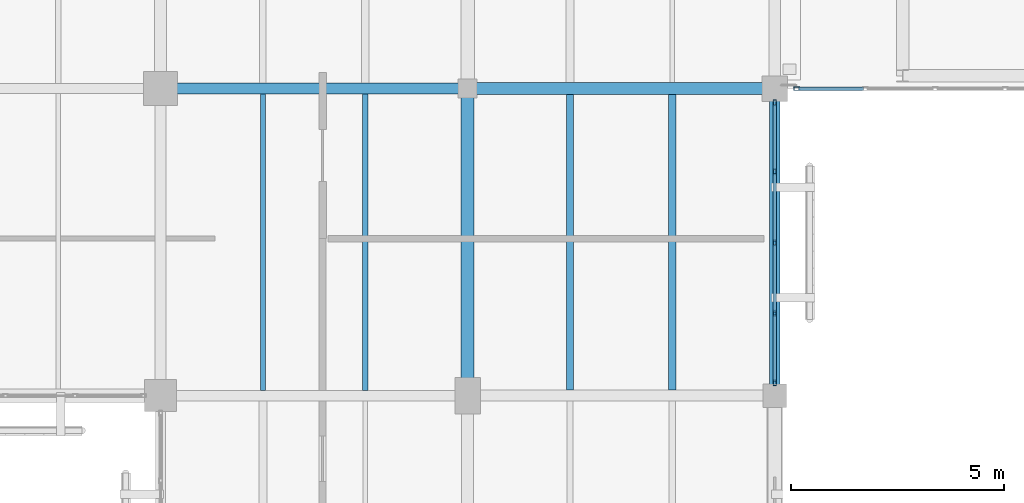
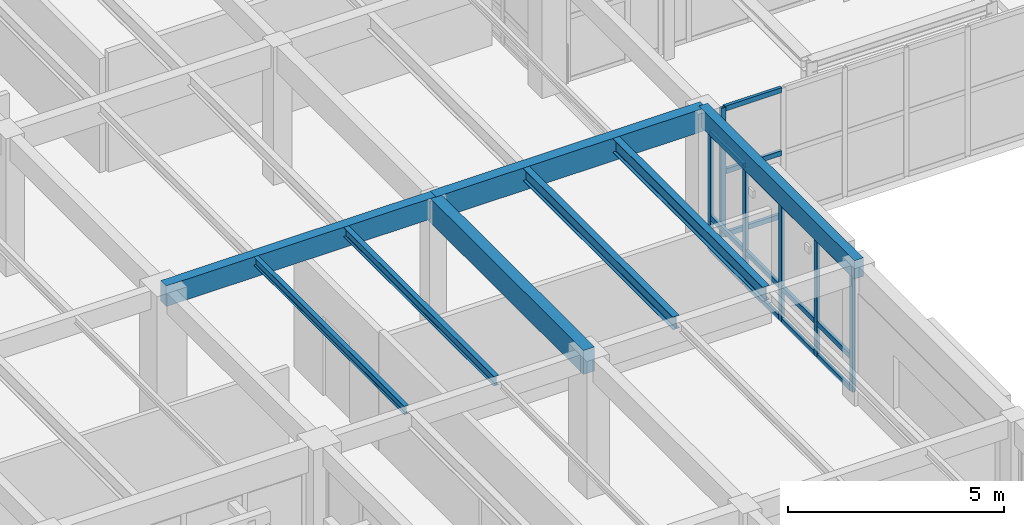
# One storey, part 63 of 170: 21 members, 8 beams, 2 elements without a shape of their own.
"""IFC4 building model written with IfcOpenShell, lengths in metres."""

from ifc_helpers import new_model, si_unit, direction, frame, origin, origin_2d, place, context, subcontext, project, spatial, rectangle, hollow_rectangle, i_section, extrude, material, layer, layer_set, material_profile, profile_set, type_object, element, aggregate, save


model = new_model("IFC4")

# Units and contexts
model_context = context("Model", 3, precision=1e-05, world=origin(), true_north=direction((0.0, 1.0)))
body_context = subcontext(model_context, "Body", "Model", "MODEL_VIEW")
ifc_project = project(units=[si_unit("LENGTHUNIT", "METRE"), si_unit("AREAUNIT", "SQUARE_METRE"), si_unit("VOLUMEUNIT", "CUBIC_METRE"), si_unit("PLANEANGLEUNIT", "RADIAN"), si_unit("MASSUNIT", "GRAM", prefix="KILO")], contexts=[model_context])

# Site, building, storey
site_placement = place(None, origin())
site = spatial("IfcSite", under=ifc_project, at=site_placement, CompositionType="ELEMENT")
building_placement = place(site_placement, origin())
building = spatial("IfcBuilding", under=site, at=building_placement, Name="Mazaris Harbour Polytechnic", CompositionType="ELEMENT")
storey_placement = place(building_placement, frame((0.0, 0.0, 5.39990234375)))
storey = spatial("IfcBuildingStorey", under=building, at=storey_placement, Name="L01", CompositionType="ELEMENT", Elevation=5.39990234375)

# Curtain wall, members
ifc_material_1 = material(Name="Anodised Bronze Aluminium and Low-E Glass", Category="aluminium")
ifc_layer_1 = layer(ifc_material_1, 0.159912109375, Name="Anodised Bronze Aluminium and Low-E Glass")
ifc_layer_set_1 = layer_set([ifc_layer_1], Name="Anodised Bronze Aluminium and Low-E Glass")
curtain_wall_type_1 = type_object("IfcCurtainWallType", Name="Cloister Court Curtain Wall", PredefinedType="NOTDEFINED", material=ifc_layer_set_1)
curtain_wall_1_placement = place(storey_placement, origin())
curtain_wall_1 = element("IfcCurtainWall", 1, at=curtain_wall_1_placement, inside=storey, type_object=curtain_wall_type_1, Name="V4 L01 Curtain Wall 114", PredefinedType="NOTDEFINED")
ifc_material_2 = material(Name="Anodised Bronze Steel S355", Category="steel")
ifc_material_profile_1 = material_profile(ifc_material_2, hollow_rectangle(XDim=0.080078125, YDim=0.139892578125, WallThickness=0.00634765625, at=origin_2d()), Name="RHS 80x140x6.3")
ifc_profile_set_1 = profile_set([ifc_material_profile_1], Name="Anodised Bronze Steel S355")
member_type_1 = type_object("IfcMemberType", Name="Curtain Mullion RHS80x140", PredefinedType="MULLION", material=ifc_profile_set_1)
member_1_placement = place(storey_placement, frame((43.199951171875, 75.26806640625, 0.0), z_axis=(0.0, 0.0, 1.0), x_axis=(1.0, 0.0, 0.0)))
member_1 = element("IfcMember", 2, at=member_1_placement, type_object=member_type_1, Name="CW-02 mullion 1", PredefinedType="MULLION", context=body_context, shape_type="SweptSolid", body=[
    extrude(hollow_rectangle(XDim=0.080078125, YDim=0.139892578125, WallThickness=0.00634765625, at=origin_2d()), origin(), (0.0, 0.0, 1.0), 3.360107421875),
])
member_2_placement = place(storey_placement, frame((43.199951171875, 73.647705078125, 0.0), z_axis=(0.0, 0.0, 1.0), x_axis=(1.0, 0.0, 0.0)))
member_2 = element("IfcMember", 3, at=member_2_placement, type_object=member_type_1, Name="CW-02 mullion 2", PredefinedType="MULLION", context=body_context, shape_type="SweptSolid", body=[
    extrude(hollow_rectangle(XDim=0.080078125, YDim=0.139892578125, WallThickness=0.00634765625, at=origin_2d()), origin(), (0.0, 0.0, 1.0), 3.360107421875),
])
member_3_placement = place(storey_placement, frame((43.199951171875, 71.987548828125, 0.0), z_axis=(0.0, 0.0, 1.0), x_axis=(1.0, 0.0, 0.0)))
member_3 = element("IfcMember", 4, at=member_3_placement, type_object=member_type_1, Name="CW-02 mullion 3", PredefinedType="MULLION", context=body_context, shape_type="SweptSolid", body=[
    extrude(hollow_rectangle(XDim=0.080078125, YDim=0.139892578125, WallThickness=0.00634765625, at=origin_2d()), origin(), (0.0, 0.0, 1.0), 3.360107421875),
])
member_4_placement = place(storey_placement, frame((43.199951171875, 70.3271484375, 0.0), z_axis=(0.0, 0.0, 1.0), x_axis=(1.0, 0.0, 0.0)))
member_4 = element("IfcMember", 5, at=member_4_placement, type_object=member_type_1, Name="CW-02 mullion 4", PredefinedType="MULLION", context=body_context, shape_type="SweptSolid", body=[
    extrude(hollow_rectangle(XDim=0.080078125, YDim=0.139892578125, WallThickness=0.00634765625, at=origin_2d()), origin(), (0.0, 0.0, 1.0), 3.360107421875),
])
member_5_placement = place(storey_placement, frame((43.199951171875, 68.70703125, 0.0), z_axis=(0.0, 0.0, 1.0), x_axis=(1.0, 0.0, 0.0)))
member_5 = element("IfcMember", 6, at=member_5_placement, type_object=member_type_1, Name="CW-02 mullion 5", PredefinedType="MULLION", context=body_context, shape_type="SweptSolid", body=[
    extrude(hollow_rectangle(XDim=0.080078125, YDim=0.139892578125, WallThickness=0.00634765625, at=origin_2d()), origin(), (0.0, 0.0, 1.0), 3.360107421875),
])

# Curtain wall, member
ifc_material_3 = material(Name="Anodised Bronze Aluminium and Low-E Glass", Category="aluminium")
ifc_layer_2 = layer(ifc_material_3, 0.139892578125, Name="Anodised Bronze Aluminium and Low-E Glass")
ifc_layer_set_2 = layer_set([ifc_layer_2], Name="Anodised Bronze Aluminium and Low-E Glass")
curtain_wall_type_2 = type_object("IfcCurtainWallType", Name="Seismic Link Bridge Glazing", PredefinedType="NOTDEFINED", material=ifc_layer_set_2)
curtain_wall_2_placement = place(storey_placement, origin())
curtain_wall_2 = element("IfcCurtainWall", 7, at=curtain_wall_2_placement, inside=storey, type_object=curtain_wall_type_2, Name="PB-W2 L01 Bridge Glazing", PredefinedType="NOTDEFINED")
member_6_placement = place(storey_placement, frame((43.719970703125, 75.60009765625, 0.0), z_axis=(0.0, 0.0, 1.0), x_axis=(0.0, 1.0, 0.0)))
member_6 = element("IfcMember", 8, at=member_6_placement, type_object=member_type_1, Name="CW-05 mullion 1", PredefinedType="MULLION", context=body_context, shape_type="SweptSolid", body=[
    extrude(hollow_rectangle(XDim=0.080078125, YDim=0.139892578125, WallThickness=0.00634765625, at=origin_2d()), origin(), (0.0, 0.0, 1.0), 3.635009765625),
])

# Member
ifc_material_4 = material(Name="Anodised Bronze Steel S355", Category="steel")
ifc_material_profile_2 = material_profile(ifc_material_4, hollow_rectangle(XDim=0.080078125, YDim=0.139892578125, WallThickness=0.00634765625, at=origin_2d()), Name="RHS 80x140x6.3")
ifc_profile_set_2 = profile_set([ifc_material_profile_2], Name="Anodised Bronze Steel S355")
member_type_2 = type_object("IfcMemberType", Name="Curtain Transom RHS80x140", PredefinedType="USERDEFINED", material=ifc_profile_set_2)
member_7_placement = place(storey_placement, frame((43.199951171875, 75.22802734375, 0.0400390625), z_axis=(0.0, -1.0, 0.0), x_axis=(1.0, 0.0, 0.0)))
member_7 = element("IfcMember", 9, at=member_7_placement, type_object=member_type_2, Name="CW-02 transom 1.1", ObjectType="TRANSOM", PredefinedType="USERDEFINED", context=body_context, shape_type="SweptSolid", body=[
    extrude(hollow_rectangle(XDim=0.080078125, YDim=0.139892578125, WallThickness=0.00634765625, at=origin_2d()), origin(), (0.0, 0.0, 1.0), 1.540283203125),
])

member_8_placement = place(storey_placement, frame((43.199951171875, 75.22802734375, 0.9501953125), z_axis=(0.0, -1.0, 0.0), x_axis=(1.0, 0.0, 0.0)))
member_8 = element("IfcMember", 10, at=member_8_placement, type_object=member_type_2, Name="CW-02 transom 1.2", ObjectType="TRANSOM", PredefinedType="USERDEFINED", context=body_context, shape_type="SweptSolid", body=[
    extrude(hollow_rectangle(XDim=0.080078125, YDim=0.139892578125, WallThickness=0.00634765625, at=origin_2d()), origin(), (0.0, 0.0, 1.0), 1.540283203125),
])

member_9_placement = place(storey_placement, frame((43.199951171875, 75.22802734375, 3.320068359375), z_axis=(0.0, -1.0, 0.0), x_axis=(1.0, 0.0, 0.0)))
member_9 = element("IfcMember", 11, at=member_9_placement, type_object=member_type_2, Name="CW-02 transom 1.3", ObjectType="TRANSOM", PredefinedType="USERDEFINED", context=body_context, shape_type="SweptSolid", body=[
    extrude(hollow_rectangle(XDim=0.080078125, YDim=0.139892578125, WallThickness=0.00634765625, at=origin_2d()), origin(), (0.0, 0.0, 1.0), 1.540283203125),
])

member_10_placement = place(storey_placement, frame((43.199951171875, 73.607666015625, 0.0400390625), z_axis=(0.0, -1.0, 0.0), x_axis=(1.0, 0.0, 0.0)))
member_10 = element("IfcMember", 12, at=member_10_placement, type_object=member_type_2, Name="CW-02 transom 2.1", ObjectType="TRANSOM", PredefinedType="USERDEFINED", context=body_context, shape_type="SweptSolid", body=[
    extrude(hollow_rectangle(XDim=0.080078125, YDim=0.139892578125, WallThickness=0.00634765625, at=origin_2d()), origin(), (0.0, 0.0, 1.0), 1.580078125),
])

member_11_placement = place(storey_placement, frame((43.199951171875, 73.607666015625, 0.9501953125), z_axis=(0.0, -1.0, 0.0), x_axis=(1.0, 0.0, 0.0)))
member_11 = element("IfcMember", 13, at=member_11_placement, type_object=member_type_2, Name="CW-02 transom 2.2", ObjectType="TRANSOM", PredefinedType="USERDEFINED", context=body_context, shape_type="SweptSolid", body=[
    extrude(hollow_rectangle(XDim=0.080078125, YDim=0.139892578125, WallThickness=0.00634765625, at=origin_2d()), origin(), (0.0, 0.0, 1.0), 1.580078125),
])

member_12_placement = place(storey_placement, frame((43.199951171875, 73.607666015625, 3.320068359375), z_axis=(0.0, -1.0, 0.0), x_axis=(1.0, 0.0, 0.0)))
member_12 = element("IfcMember", 14, at=member_12_placement, type_object=member_type_2, Name="CW-02 transom 2.3", ObjectType="TRANSOM", PredefinedType="USERDEFINED", context=body_context, shape_type="SweptSolid", body=[
    extrude(hollow_rectangle(XDim=0.080078125, YDim=0.139892578125, WallThickness=0.00634765625, at=origin_2d()), origin(), (0.0, 0.0, 1.0), 1.580078125),
])

member_13_placement = place(storey_placement, frame((43.199951171875, 71.947509765625, 0.0400390625), z_axis=(0.0, -1.0, 0.0), x_axis=(1.0, 0.0, 0.0)))
member_13 = element("IfcMember", 15, at=member_13_placement, type_object=member_type_2, Name="CW-02 transom 3.1", ObjectType="TRANSOM", PredefinedType="USERDEFINED", context=body_context, shape_type="SweptSolid", body=[
    extrude(hollow_rectangle(XDim=0.080078125, YDim=0.139892578125, WallThickness=0.00634765625, at=origin_2d()), origin(), (0.0, 0.0, 1.0), 1.580322265625),
])

member_14_placement = place(storey_placement, frame((43.199951171875, 71.947509765625, 0.9501953125), z_axis=(0.0, -1.0, 0.0), x_axis=(1.0, 0.0, 0.0)))
member_14 = element("IfcMember", 16, at=member_14_placement, type_object=member_type_2, Name="CW-02 transom 3.2", ObjectType="TRANSOM", PredefinedType="USERDEFINED", context=body_context, shape_type="SweptSolid", body=[
    extrude(hollow_rectangle(XDim=0.080078125, YDim=0.139892578125, WallThickness=0.00634765625, at=origin_2d()), origin(), (0.0, 0.0, 1.0), 1.580322265625),
])

member_15_placement = place(storey_placement, frame((43.199951171875, 71.947509765625, 3.320068359375), z_axis=(0.0, -1.0, 0.0), x_axis=(1.0, 0.0, 0.0)))
member_15 = element("IfcMember", 17, at=member_15_placement, type_object=member_type_2, Name="CW-02 transom 3.3", ObjectType="TRANSOM", PredefinedType="USERDEFINED", context=body_context, shape_type="SweptSolid", body=[
    extrude(hollow_rectangle(XDim=0.080078125, YDim=0.139892578125, WallThickness=0.00634765625, at=origin_2d()), origin(), (0.0, 0.0, 1.0), 1.580322265625),
])

member_16_placement = place(storey_placement, frame((43.199951171875, 70.287353515625, 0.0400390625), z_axis=(0.0, -1.0, 0.0), x_axis=(1.0, 0.0, 0.0)))
member_16 = element("IfcMember", 18, at=member_16_placement, type_object=member_type_2, Name="CW-02 transom 4.1", ObjectType="TRANSOM", PredefinedType="USERDEFINED", context=body_context, shape_type="SweptSolid", body=[
    extrude(hollow_rectangle(XDim=0.080078125, YDim=0.139892578125, WallThickness=0.00634765625, at=origin_2d()), origin(), (0.0, 0.0, 1.0), 1.540283203125),
])

member_17_placement = place(storey_placement, frame((43.199951171875, 70.287353515625, 0.9501953125), z_axis=(0.0, -1.0, 0.0), x_axis=(1.0, 0.0, 0.0)))
member_17 = element("IfcMember", 19, at=member_17_placement, type_object=member_type_2, Name="CW-02 transom 4.2", ObjectType="TRANSOM", PredefinedType="USERDEFINED", context=body_context, shape_type="SweptSolid", body=[
    extrude(hollow_rectangle(XDim=0.080078125, YDim=0.139892578125, WallThickness=0.00634765625, at=origin_2d()), origin(), (0.0, 0.0, 1.0), 1.540283203125),
])

member_18_placement = place(storey_placement, frame((43.199951171875, 70.287353515625, 3.320068359375), z_axis=(0.0, -1.0, 0.0), x_axis=(1.0, 0.0, 0.0)))
member_18 = element("IfcMember", 20, at=member_18_placement, type_object=member_type_2, Name="CW-02 transom 4.3", ObjectType="TRANSOM", PredefinedType="USERDEFINED", context=body_context, shape_type="SweptSolid", body=[
    extrude(hollow_rectangle(XDim=0.080078125, YDim=0.139892578125, WallThickness=0.00634765625, at=origin_2d()), origin(), (0.0, 0.0, 1.0), 1.540283203125),
])

aggregate(curtain_wall_1, [member_1, member_2, member_3, member_4, member_5, member_7, member_8, member_9, member_10, member_11, member_12, member_13, member_14, member_15, member_16, member_17, member_18])

member_19_placement = place(storey_placement, frame((43.760009765625, 75.60009765625, 0.0400390625), z_axis=(1.0, 0.0, 0.0), x_axis=(0.0, 1.0, 0.0)))
member_19 = element("IfcMember", 21, at=member_19_placement, type_object=member_type_2, Name="CW-05 transom 1.1", ObjectType="TRANSOM", PredefinedType="USERDEFINED", context=body_context, shape_type="SweptSolid", body=[
    extrude(hollow_rectangle(XDim=0.080078125, YDim=0.139892578125, WallThickness=0.00634765625, at=origin_2d()), origin(), (0.0, 0.0, 1.0), 1.52001953125),
])

member_20_placement = place(storey_placement, frame((43.760009765625, 75.60009765625, 1.817626953125), z_axis=(1.0, 0.0, 0.0), x_axis=(0.0, 1.0, 0.0)))
member_20 = element("IfcMember", 22, at=member_20_placement, type_object=member_type_2, Name="CW-05 transom 1.2", ObjectType="TRANSOM", PredefinedType="USERDEFINED", context=body_context, shape_type="SweptSolid", body=[
    extrude(hollow_rectangle(XDim=0.080078125, YDim=0.139892578125, WallThickness=0.00634765625, at=origin_2d()), origin(), (0.0, 0.0, 1.0), 1.52001953125),
])

member_21_placement = place(storey_placement, frame((43.760009765625, 75.60009765625, 3.59521484375), z_axis=(1.0, 0.0, 0.0), x_axis=(0.0, 1.0, 0.0)))
member_21 = element("IfcMember", 23, at=member_21_placement, type_object=member_type_2, Name="CW-05 transom 1.3", ObjectType="TRANSOM", PredefinedType="USERDEFINED", context=body_context, shape_type="SweptSolid", body=[
    extrude(hollow_rectangle(XDim=0.080078125, YDim=0.139892578125, WallThickness=0.00634765625, at=origin_2d()), origin(), (0.0, 0.0, 1.0), 1.52001953125),
])

aggregate(curtain_wall_2, [member_6, member_19, member_20, member_21])

# Beams
ifc_material_5 = material(Name="Glulam GL32h", Category="wood")
ifc_material_profile_3 = material_profile(ifc_material_5, rectangle(XDim=0.239990234375, YDim=0.52001953125, at=origin_2d()), Name="RECT240x520")
ifc_profile_set_3 = profile_set([ifc_material_profile_3], Name="Glulam GL32h")
beam_type_1 = type_object("IfcBeamType", Name="Glulam Girder 240x520 Exterior", PredefinedType="BEAM", material=ifc_profile_set_3)
beam_1_placement = place(storey_placement, frame((43.199951171875, 68.39990234375, 3.630126953125), z_axis=(0.0, 1.0, 0.0), x_axis=(-1.0, 0.0, 0.0)))
element("IfcBeam", 24, at=beam_1_placement, inside=storey, type_object=beam_type_1, Name="V4 L01 Tie Girder 1770", PredefinedType="BEAM", context=body_context, shape_type="SweptSolid", body=[
    extrude(rectangle(XDim=0.239990234375, YDim=0.52001953125, at=origin_2d()), origin(), (0.0, 0.0, 1.0), 7.2001953125),
])
ifc_material_6 = material(Name="Glulam GL32h", Category="wood")
ifc_material_profile_4 = material_profile(ifc_material_6, rectangle(XDim=0.260009765625, YDim=0.580078125, at=origin_2d()), Name="RECT260x580")
ifc_profile_set_4 = profile_set([ifc_material_profile_4], Name="Glulam GL32h")
beam_type_2 = type_object("IfcBeamType", Name="Glulam Girder 260x580", PredefinedType="BEAM", material=ifc_profile_set_4)
beam_2_placement = place(storey_placement, frame((28.800048828125, 75.60009765625, 3.60009765625), z_axis=(1.0, 0.0, 0.0), x_axis=(0.0, 1.0, 0.0)))
element("IfcBeam", 25, at=beam_2_placement, inside=storey, type_object=beam_type_2, Name="V4 L01 Girder 1676", PredefinedType="BEAM", context=body_context, shape_type="SweptSolid", body=[
    extrude(rectangle(XDim=0.260009765625, YDim=0.580078125, at=origin_2d()), origin(), (0.0, 0.0, 1.0), 7.199951171875),
])
ifc_material_7 = material(Name="Glulam GL32h", Category="wood")
ifc_material_profile_5 = material_profile(ifc_material_7, rectangle(XDim=0.280029296875, YDim=0.639892578125, at=origin_2d()), Name="RECT280x640")
ifc_profile_set_5 = profile_set([ifc_material_profile_5], Name="Glulam GL32h")
beam_type_3 = type_object("IfcBeamType", Name="Glulam Girder 280x640", PredefinedType="BEAM", material=ifc_profile_set_5)
beam_3_placement = place(storey_placement, frame((36.0, 75.60009765625, 3.570068359375), z_axis=(1.0, 0.0, 0.0), x_axis=(0.0, 1.0, 0.0)))
element("IfcBeam", 26, at=beam_3_placement, inside=storey, type_object=beam_type_3, Name="V4 L01 Girder 1677", PredefinedType="BEAM", context=body_context, shape_type="SweptSolid", body=[
    extrude(rectangle(XDim=0.280029296875, YDim=0.639892578125, at=origin_2d()), origin(), (0.0, 0.0, 1.0), 7.199951171875),
])
ifc_material_8 = material(Name="Glulam GL32h", Category="wood")
ifc_material_profile_6 = material_profile(ifc_material_8, rectangle(XDim=0.300048828125, YDim=0.679931640625, at=origin_2d()), Name="RECT300x680")
ifc_profile_set_6 = profile_set([ifc_material_profile_6], Name="Glulam GL32h")
beam_type_4 = type_object("IfcBeamType", Name="Glulam Girder 300x680", PredefinedType="BEAM", material=ifc_profile_set_6)
beam_4_placement = place(storey_placement, frame((36.0, 68.39990234375, 3.550048828125), z_axis=(0.0, 1.0, 0.0), x_axis=(-1.0, 0.0, 0.0)))
element("IfcBeam", 27, at=beam_4_placement, inside=storey, type_object=beam_type_4, Name="V4 L01 Tie Girder 1758", PredefinedType="BEAM", context=body_context, shape_type="SweptSolid", body=[
    extrude(rectangle(XDim=0.300048828125, YDim=0.679931640625, at=origin_2d()), origin(), (0.0, 0.0, 1.0), 7.2001953125),
])
ifc_material_9 = material(Name="Steel S355", Category="steel")
ifc_material_profile_7 = material_profile(ifc_material_9, i_section(OverallWidth=0.1201171875, OverallDepth=0.239990234375, WebThickness=0.006103515625, FlangeThickness=0.009765625, FilletRadius=0.014892578125, at=origin_2d()), Name="IPE 240")
ifc_profile_set_7 = profile_set([ifc_material_profile_7], Name="Steel S355")
beam_type_5 = type_object("IfcBeamType", Name="Steel Joist IPE240", PredefinedType="JOIST", material=ifc_profile_set_7)
beam_5_placement = place(storey_placement, frame((31.199951171875, 68.52001953125, 3.77001953125), z_axis=(0.0, 1.0, 0.0), x_axis=(-1.0, 0.0, 0.0)))
element("IfcBeam", 28, at=beam_5_placement, inside=storey, type_object=beam_type_5, Name="V4 L01 Floor Joist 1863", PredefinedType="JOIST", context=body_context, shape_type="SweptSolid", body=[
    extrude(i_section(OverallWidth=0.1201171875, OverallDepth=0.239990234375, WebThickness=0.006103515625, FlangeThickness=0.009765625, FilletRadius=0.014892578125, at=origin_2d()), origin(), (0.0, 0.0, 1.0), 6.949951171875),
])
ifc_material_10 = material(Name="Steel S355", Category="steel")
ifc_material_profile_8 = material_profile(ifc_material_10, i_section(OverallWidth=0.135009765625, OverallDepth=0.27001953125, WebThickness=0.006591796875, FlangeThickness=0.01025390625, FilletRadius=0.014892578125, at=origin_2d()), Name="IPE 270")
ifc_profile_set_8 = profile_set([ifc_material_profile_8], Name="Steel S355")
beam_type_6 = type_object("IfcBeamType", Name="Steel Joist IPE270", PredefinedType="JOIST", material=ifc_profile_set_8)
beam_6_placement = place(storey_placement, frame((33.60009765625, 68.52001953125, 3.755126953125), z_axis=(0.0, 1.0, 0.0), x_axis=(-1.0, 0.0, 0.0)))
element("IfcBeam", 29, at=beam_6_placement, inside=storey, type_object=beam_type_6, Name="V4 L01 Floor Joist 1864", PredefinedType="JOIST", context=body_context, shape_type="SweptSolid", body=[
    extrude(i_section(OverallWidth=0.135009765625, OverallDepth=0.27001953125, WebThickness=0.006591796875, FlangeThickness=0.01025390625, FilletRadius=0.014892578125, at=origin_2d()), origin(), (0.0, 0.0, 1.0), 6.949951171875),
])
ifc_material_11 = material(Name="Steel S355", Category="steel")
ifc_material_profile_9 = material_profile(ifc_material_11, i_section(OverallWidth=0.169921875, OverallDepth=0.360107421875, WebThickness=0.008056640625, FlangeThickness=0.0126953125, FilletRadius=0.01806640625, at=origin_2d()), Name="IPE 360")
ifc_profile_set_9 = profile_set([ifc_material_profile_9], Name="Steel S355")
beam_type_7 = type_object("IfcBeamType", Name="Steel Joist IPE360", PredefinedType="JOIST", material=ifc_profile_set_9)
beam_7_placement = place(storey_placement, frame((38.39990234375, 68.530029296875, 3.710205078125), z_axis=(0.0, 1.0, 0.0), x_axis=(-1.0, 0.0, 0.0)))
element("IfcBeam", 30, at=beam_7_placement, inside=storey, type_object=beam_type_7, Name="V4 L01 Floor Joist 1887", PredefinedType="JOIST", context=body_context, shape_type="SweptSolid", body=[
    extrude(i_section(OverallWidth=0.169921875, OverallDepth=0.360107421875, WebThickness=0.008056640625, FlangeThickness=0.0126953125, FilletRadius=0.01806640625, at=origin_2d()), origin(), (0.0, 0.0, 1.0), 6.929931640625),
])
ifc_material_12 = material(Name="Steel S355", Category="steel")
ifc_material_profile_10 = material_profile(ifc_material_12, i_section(OverallWidth=0.179931640625, OverallDepth=0.39990234375, WebThickness=0.008544921875, FlangeThickness=0.013427734375, FilletRadius=0.02099609375, at=origin_2d()), Name="IPE 400")
ifc_profile_set_10 = profile_set([ifc_material_profile_10], Name="Steel S355")
beam_type_8 = type_object("IfcBeamType", Name="Steel Joist IPE400", PredefinedType="JOIST", material=ifc_profile_set_10)
beam_8_placement = place(storey_placement, frame((40.800048828125, 68.530029296875, 3.690185546875), z_axis=(0.0, 1.0, 0.0), x_axis=(-1.0, 0.0, 0.0)))
element("IfcBeam", 31, at=beam_8_placement, inside=storey, type_object=beam_type_8, Name="V4 L01 Floor Joist 1888", PredefinedType="JOIST", context=body_context, shape_type="SweptSolid", body=[
    extrude(i_section(OverallWidth=0.179931640625, OverallDepth=0.39990234375, WebThickness=0.008544921875, FlangeThickness=0.013427734375, FilletRadius=0.02099609375, at=origin_2d()), origin(), (0.0, 0.0, 1.0), 6.929931640625),
])

save(model, "model.ifc")
